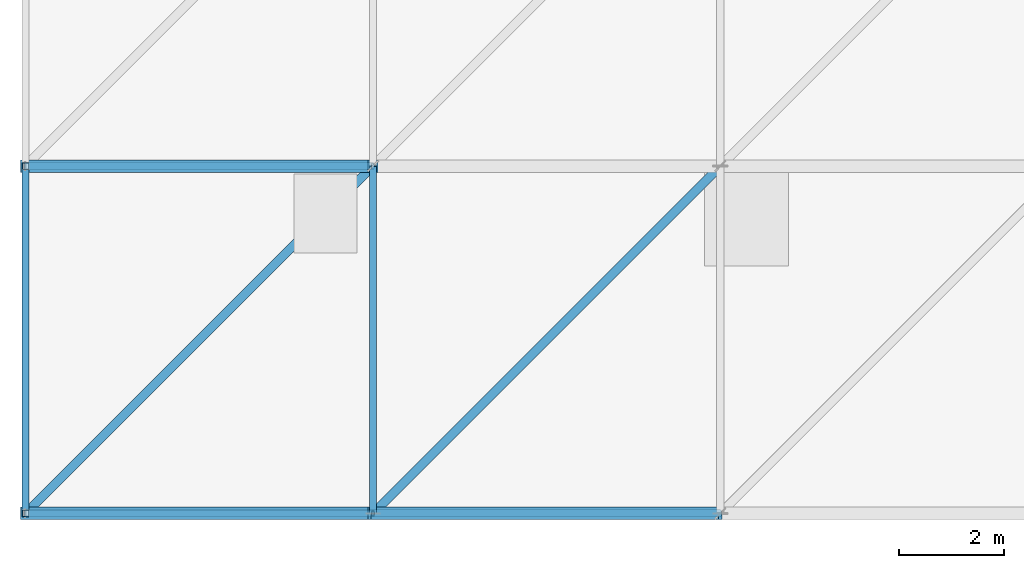
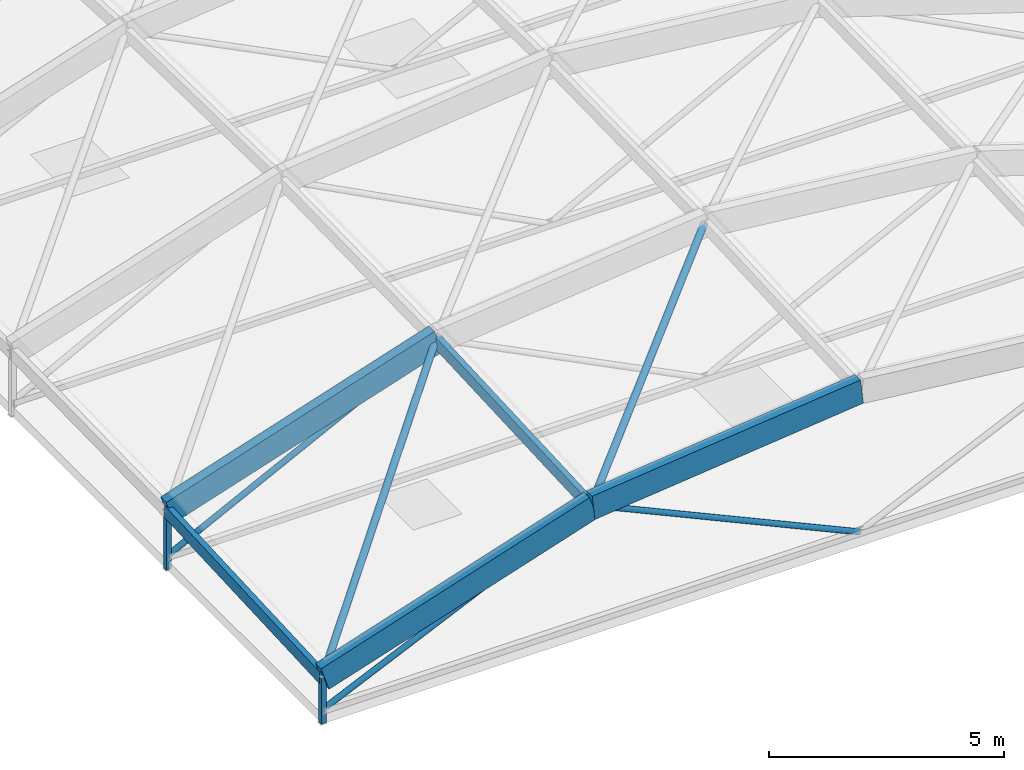
# One storey, part 21 of 157: 12 members.
"""IFC4 building model written with IfcOpenShell, lengths in metres."""

from ifc_helpers import new_model, si_unit, direction, frame, origin, origin_2d, place, context, subcontext, project, spatial, rectangle, hollow_rectangle, hollow_circle, extrude, material, material_profile, profile_set, type_object, element, save


model = new_model("IFC4")

# Units and contexts
model_context = context("Model", 3, precision=1e-05, world=origin(), true_north=direction((0.0, 1.0)))
body_context = subcontext(model_context, "Body", "Model", "MODEL_VIEW")
ifc_project = project(units=[si_unit("LENGTHUNIT", "METRE"), si_unit("AREAUNIT", "SQUARE_METRE"), si_unit("VOLUMEUNIT", "CUBIC_METRE"), si_unit("PLANEANGLEUNIT", "RADIAN"), si_unit("MASSUNIT", "GRAM", prefix="KILO")], contexts=[model_context])

# Site, building, storey
site_placement = place(None, origin())
site = spatial("IfcSite", under=ifc_project, at=site_placement, CompositionType="ELEMENT")
building_placement = place(site_placement, origin())
building = spatial("IfcBuilding", under=site, at=building_placement, Name="Karori Crest Natural Sciences Institute", CompositionType="ELEMENT")
storey_placement = place(building_placement, frame((0.0, 0.0, 13.300048828125)))
storey = spatial("IfcBuildingStorey", under=building, at=storey_placement, Name="L03", CompositionType="ELEMENT", Elevation=13.300048828125)

# Members
ifc_material_1 = material(Name="Hollow structural steel AS/NZS 1163 Grade C350", Category="steel")
ifc_material_profile_1 = material_profile(ifc_material_1, hollow_circle(Radius=0.084228515625, WallThickness=0.007080078125, at=origin_2d()), Name="CHS168.3x7.1")
ifc_profile_set_1 = profile_set([ifc_material_profile_1], Name="Hollow structural steel AS/NZS 1163 Grade C350")
member_type_1 = type_object("IfcMemberType", Name="MT-03", PredefinedType="BRACE", material=ifc_profile_set_1)
member_1_placement = place(storey_placement, frame((0.800048828125, 0.800048828125, 0.969970703125), z_axis=(0.683836587594, 0.683836587594, 0.254430821515), x_axis=(-0.707106781187, 0.707106781187, 0.0)))
element("IfcMember", 1, at=member_1_placement, inside=storey, type_object=member_type_1, Name="Diagonal Brace M-0266", PredefinedType="BRACE", context=body_context, shape_type="SweptSolid", body=[
    extrude(hollow_circle(Radius=0.084228515625, WallThickness=0.007080078125, at=origin_2d()), origin(), (0.0, 0.0, 1.0), 9.651123046875),
])
member_2_placement = place(storey_placement, frame((7.39990234375, 0.800048828125, 3.107421875), z_axis=(0.702847039088, 0.702821040455, 0.109766227677), x_axis=(-0.707093702722, 0.707119859409, 0.0)))
element("IfcMember", 2, at=member_2_placement, inside=storey, type_object=member_type_1, Name="Diagonal Brace M-0270", PredefinedType="BRACE", context=body_context, shape_type="SweptSolid", body=[
    extrude(hollow_circle(Radius=0.084228515625, WallThickness=0.007080078125, at=origin_2d()), origin(), (0.0, 0.0, 1.0), 9.390625),
])
ifc_material_2 = material(Name="Glulam GL12", Category="wood")
ifc_material_profile_2 = material_profile(ifc_material_2, rectangle(XDim=0.135009765625, YDim=0.31494140625, at=origin_2d()), Name="GL135x315")
ifc_profile_set_2 = profile_set([ifc_material_profile_2], Name="Glulam GL12")
member_type_2 = type_object("IfcMemberType", Name="MT-12", PredefinedType="PURLIN", material=ifc_profile_set_2)
for number, where, z_axis, x_axis, name in (
    (3, (0.800048828125, 0.800048828125, 0.969970703125), (0.0, 0.998840383429, 0.048144453801), (-1.0, 0.0, 0.0), "Member M-0265"),
    (4, (7.39990234375, 0.800048828125, 3.107421875), (0.0, 0.998840383429, 0.048144453801), (-1.0, 0.0, 0.0), "Member M-0269"),
):
    element("IfcMember", number, at=place(storey_placement, frame(where, z_axis=z_axis, x_axis=x_axis)), inside=storey, type_object=member_type_2, Name=name, PredefinedType="PURLIN", context=body_context, shape_type="SweptSolid", body=[
        extrude(rectangle(XDim=0.135009765625, YDim=0.31494140625, at=origin_2d()), origin(), (0.0, 0.0, 1.0), 6.607421875),
    ])
ifc_material_profile_3 = material_profile(ifc_material_2, rectangle(XDim=0.239990234375, YDim=0.6298828125, at=origin_2d()), Name="GL240x630")
ifc_profile_set_3 = profile_set([ifc_material_profile_3], Name="Glulam GL12")
member_type_3 = type_object("IfcMemberType", Name="MT-15", PredefinedType="USERDEFINED", material=ifc_profile_set_3)
member_3_placement = place(storey_placement, frame((0.800048828125, 0.800048828125, 0.989990234375), z_axis=(0.951351409962, 0.0, 0.308107927134), x_axis=(0.0, 1.0, 0.0)))
element("IfcMember", 5, at=member_3_placement, inside=storey, type_object=member_type_3, Name="Member M-0263", ObjectType="ARCH_SEGMENT", PredefinedType="USERDEFINED", context=body_context, shape_type="SweptSolid", body=[
    extrude(rectangle(XDim=0.239990234375, YDim=0.6298828125, at=origin_2d()), origin(), (0.0, 0.0, 1.0), 6.937255859375),
])
member_4_placement = place(storey_placement, frame((7.39990234375, 0.800048828125, 3.12744140625), z_axis=(0.994225090035, 0.0, 0.107314818847), x_axis=(0.0, 1.0, 0.0)))
element("IfcMember", 6, at=member_4_placement, inside=storey, type_object=member_type_3, Name="Member M-0267", ObjectType="ARCH_SEGMENT", PredefinedType="USERDEFINED", context=body_context, shape_type="SweptSolid", body=[
    extrude(rectangle(XDim=0.239990234375, YDim=0.6298828125, at=origin_2d()), origin(), (0.0, 0.0, 1.0), 6.638427734375),
])
member_5_placement = place(storey_placement, frame((0.800048828125, 7.39990234375, 1.30810546875), z_axis=(0.951351409962, 0.0, 0.308107927134), x_axis=(0.0, 1.0, 0.0)))
element("IfcMember", 7, at=member_5_placement, inside=storey, type_object=member_type_3, Name="Member M-0283", ObjectType="ARCH_SEGMENT", PredefinedType="USERDEFINED", context=body_context, shape_type="SweptSolid", body=[
    extrude(rectangle(XDim=0.239990234375, YDim=0.6298828125, at=origin_2d()), origin(), (0.0, 0.0, 1.0), 6.937255859375),
])
ifc_material_profile_4 = material_profile(ifc_material_1, hollow_circle(Radius=0.06982421875, WallThickness=0.00634765625, at=origin_2d()), Name="CHS139.7x6.4")
ifc_profile_set_4 = profile_set([ifc_material_profile_4], Name="Hollow structural steel AS/NZS 1163 Grade C350")
member_type_4 = type_object("IfcMemberType", Name="MT-18-IL", PredefinedType="STRUT", material=ifc_profile_set_4)
for number, where, z_axis, x_axis, name in (
    (8, (0.800048828125, 0.800048828125, 0.119873046875), (0.909969500085, 0.0, 0.414675184831), (0.0, 1.0, 0.0), "Member M-0264"),
    (9, (14.0, 0.800048828125, 0.119873046875), (-0.909975288088, 0.0, 0.414662483316), (0.0, -1.0, 0.0), "Member M-0268"),
):
    element("IfcMember", number, at=place(storey_placement, frame(where, z_axis=z_axis, x_axis=x_axis)), inside=storey, type_object=member_type_4, Name=name, PredefinedType="STRUT", context=body_context, shape_type="SweptSolid", body=[
        extrude(hollow_circle(Radius=0.06982421875, WallThickness=0.00634765625, at=origin_2d()), origin(), (0.0, 0.0, 1.0), 7.2529296875),
    ])
member_6_placement = place(storey_placement, frame((0.800048828125, 7.39990234375, 0.119873046875), z_axis=(0.893028778318, 0.0, 0.449999556773), x_axis=(0.0, 1.0, 0.0)))
element("IfcMember", 10, at=member_6_placement, inside=storey, type_object=member_type_4, Name="Member M-0284", PredefinedType="STRUT", context=body_context, shape_type="SweptSolid", body=[
    extrude(hollow_circle(Radius=0.06982421875, WallThickness=0.00634765625, at=origin_2d()), origin(), (0.0, 0.0, 1.0), 7.390380859375),
])
ifc_material_profile_5 = material_profile(ifc_material_1, hollow_rectangle(XDim=0.125, YDim=0.125, WallThickness=0.006103515625, at=origin_2d()), Name="SHS125x125x6")
ifc_profile_set_5 = profile_set([ifc_material_profile_5], Name="Hollow structural steel AS/NZS 1163 Grade C350")
member_type_5 = type_object("IfcMemberType", Name="MT-20", PredefinedType="STRUT", material=ifc_profile_set_5)
member_7_placement = place(storey_placement, frame((0.800048828125, 0.800048828125, -0.199951171875), z_axis=(0.0, 0.0, 1.0), x_axis=(1.0, 0.0, 0.0)))
element("IfcMember", 11, at=member_7_placement, inside=storey, type_object=member_type_5, Name="Member M-0260", PredefinedType="STRUT", context=body_context, shape_type="SweptSolid", body=[
    extrude(hollow_rectangle(XDim=0.125, YDim=0.125, WallThickness=0.006103515625, at=origin_2d()), origin(), (0.0, 0.0, 1.0), 1.18994140625),
])
member_8_placement = place(storey_placement, frame((0.800048828125, 7.39990234375, -0.199951171875), z_axis=(0.0, 0.0, 1.0), x_axis=(1.0, 0.0, 0.0)))
element("IfcMember", 12, at=member_8_placement, inside=storey, type_object=member_type_5, Name="Member M-0280", PredefinedType="STRUT", context=body_context, shape_type="SweptSolid", body=[
    extrude(hollow_rectangle(XDim=0.125, YDim=0.125, WallThickness=0.006103515625, at=origin_2d()), origin(), (0.0, 0.0, 1.0), 1.508056640625),
])

save(model, "model.ifc")
